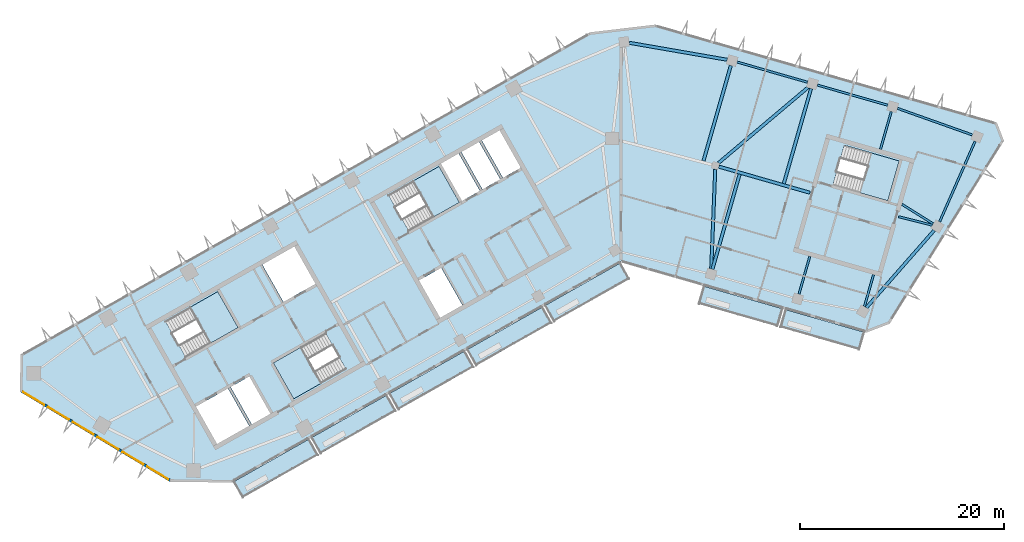
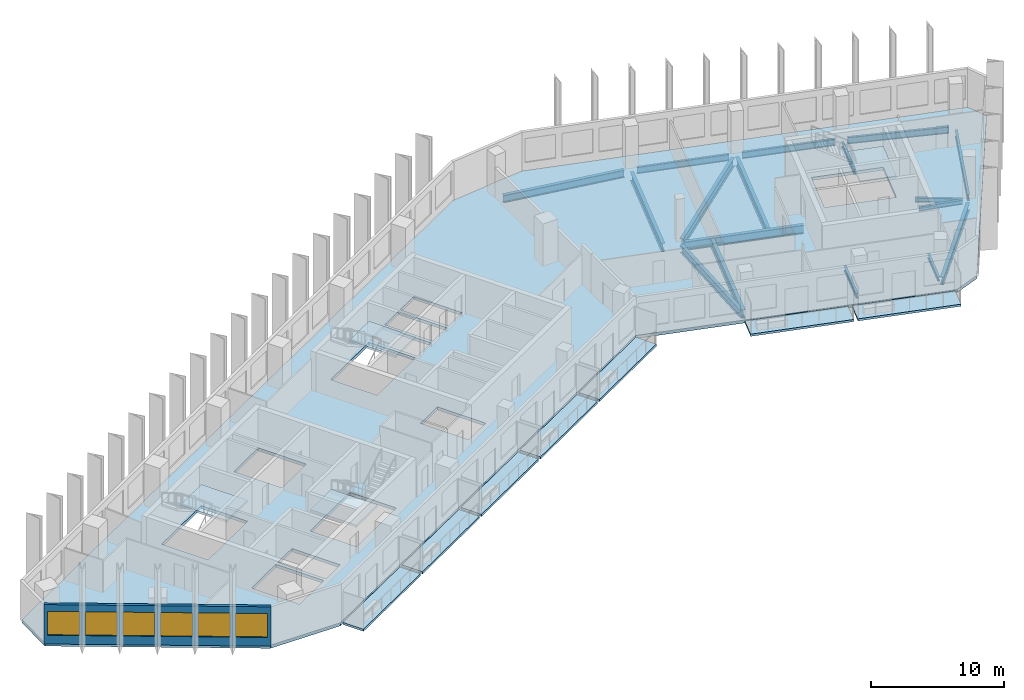
# One storey, part 2 of 12: 17 beams, 12 slabs, 6 windows, 1 wall, 6 openings, 4 elements without a shape of their own.
"""IFC4 building model written with IfcOpenShell, lengths in metres."""

from ifc_helpers import new_model, si_unit, direction, frame, frame_2d, origin, origin_2d, place, context, subcontext, project, spatial, polyline, rectangle, i_section, outline, extrude, material, layer, layer_set, material_profile, profile_set, type_object, element, fill, aggregate, save


model = new_model("IFC4")

# Units and contexts
model_context = context("Model", 3, precision=1e-05, world=origin(), true_north=direction((0.0, 1.0)))
body_context = subcontext(model_context, "Body", "Model", "MODEL_VIEW")
ifc_project = project(units=[si_unit("LENGTHUNIT", "METRE"), si_unit("AREAUNIT", "SQUARE_METRE"), si_unit("VOLUMEUNIT", "CUBIC_METRE"), si_unit("PLANEANGLEUNIT", "RADIAN"), si_unit("MASSUNIT", "GRAM", prefix="KILO")], contexts=[model_context])

# Site, building, storey
site_placement = place(None, origin())
site = spatial("IfcSite", under=ifc_project, at=site_placement, CompositionType="ELEMENT")
building_placement = place(site_placement, origin())
building = spatial("IfcBuilding", under=site, at=building_placement, Name="Binnacle Exchange Tower", CompositionType="ELEMENT")
storey_placement = place(building_placement, frame((0.0, 0.0, 238.699951171875)))
storey = spatial("IfcBuildingStorey", under=building, at=storey_placement, Name="L52", CompositionType="ELEMENT", Elevation=238.699951171875)

# Beams
ifc_material_1 = material(Name="Steel S355 (SHN355)", Category="steel")
ifc_material_profile_1 = material_profile(ifc_material_1, i_section(OverallWidth=0.199951171875, OverallDepth=0.60009765625, WebThickness=0.010986328125, FlangeThickness=0.01708984375, FilletRadius=0.02197265625, at=origin_2d()), Name="H 600x200x11x17")
ifc_profile_set_1 = profile_set([ifc_material_profile_1], Name="Steel S355 (SHN355)")
beam_type_1 = type_object("IfcBeamType", Name="Edge girder H 600x200x11x17 Steel S355 (SHN355)", PredefinedType="SPANDREL", material=ifc_profile_set_1)
beam_1_placement = place(storey_placement, frame((18.265625, 65.513916015625, -0.579833984375), z_axis=(-0.961255050864, 0.275660528891, 0.0), x_axis=(-0.275660528891, -0.961255050864, 0.0)))
element("IfcBeam", 1, at=beam_1_placement, inside=storey, type_object=beam_type_1, Name="S:BM:edge:L52:029", PredefinedType="SPANDREL", context=body_context, shape_type="SweptSolid", body=[
    extrude(i_section(OverallWidth=0.199951171875, OverallDepth=0.60009765625, WebThickness=0.010986328125, FlangeThickness=0.01708984375, FilletRadius=0.02197265625, at=origin_2d()), origin(), (0.0, 0.0, 1.0), 7.1728515625),
])
beam_2_placement = place(storey_placement, frame((26.1220703125, 63.26123046875, -0.579833984375), z_axis=(-0.96126665508, 0.275620060647, 0.0), x_axis=(-0.275620060647, -0.96126665508, 0.0)))
element("IfcBeam", 2, at=beam_2_placement, inside=storey, type_object=beam_type_1, Name="S:BM:edge:L52:031", PredefinedType="SPANDREL", context=body_context, shape_type="SweptSolid", body=[
    extrude(i_section(OverallWidth=0.199951171875, OverallDepth=0.60009765625, WebThickness=0.010986328125, FlangeThickness=0.01708984375, FilletRadius=0.02197265625, at=origin_2d()), origin(), (0.0, 0.0, 1.0), 7.173095703125),
])
ifc_material_profile_2 = material_profile(ifc_material_1, i_section(OverallWidth=0.200927734375, OverallDepth=0.60595703125, WebThickness=0.011962890625, FlangeThickness=0.02001953125, FilletRadius=0.02197265625, at=origin_2d()), Name="H 606x201x12x20")
ifc_profile_set_2 = profile_set([ifc_material_profile_2], Name="Steel S355 (SHN355)")
beam_type_2 = type_object("IfcBeamType", Name="Edge girder H 606x201x12x20 Steel S355 (SHN355)", PredefinedType="SPANDREL", material=ifc_profile_set_2)
beam_3_placement = place(storey_placement, frame((34.3984375, 60.3544921875, -0.5830078125), z_axis=(-0.942323270608, 0.334704128553, 0.0), x_axis=(-0.334704128553, -0.942323270608, 0.0)))
element("IfcBeam", 3, at=beam_3_placement, inside=storey, type_object=beam_type_2, Name="S:BM:edge:L52:033", PredefinedType="SPANDREL", context=body_context, shape_type="SweptSolid", body=[
    extrude(i_section(OverallWidth=0.200927734375, OverallDepth=0.60595703125, WebThickness=0.011962890625, FlangeThickness=0.02001953125, FilletRadius=0.02197265625, at=origin_2d()), origin(), (0.0, 0.0, 1.0), 7.77197265625),
])
ifc_material_profile_3 = material_profile(ifc_material_1, i_section(OverallWidth=0.201904296875, OverallDepth=0.612060546875, WebThickness=0.012939453125, FlangeThickness=0.02294921875, FilletRadius=0.02197265625, at=origin_2d()), Name="H 612x202x13x23")
ifc_profile_set_3 = profile_set([ifc_material_profile_3], Name="Steel S355 (SHN355)")
beam_type_3 = type_object("IfcBeamType", Name="Edge girder H 612x202x13x23 Steel S355 (SHN355)", PredefinedType="SPANDREL", material=ifc_profile_set_3)
beam_4_placement = place(storey_placement, frame((31.193359375, 51.848388671875, -0.5859375), z_axis=(0.403459457176, 0.914997522628, 0.0), x_axis=(-0.914997522628, 0.403459457176, 0.0)))
element("IfcBeam", 4, at=beam_4_placement, inside=storey, type_object=beam_type_3, Name="S:BM:edge:L52:032", PredefinedType="SPANDREL", context=body_context, shape_type="SweptSolid", body=[
    extrude(i_section(OverallWidth=0.201904296875, OverallDepth=0.612060546875, WebThickness=0.012939453125, FlangeThickness=0.02294921875, FilletRadius=0.02197265625, at=origin_2d()), origin(), (0.0, 0.0, 1.0), 8.61328125),
])
ifc_material_profile_4 = material_profile(ifc_material_1, i_section(OverallWidth=0.300048828125, OverallDepth=0.699951171875, WebThickness=0.012939453125, FlangeThickness=0.02392578125, FilletRadius=0.028076171875, at=origin_2d()), Name="H 700x300x13x24")
ifc_profile_set_4 = profile_set([ifc_material_profile_4], Name="Steel S355 (SHN355)")
beam_type_4 = type_object("IfcBeamType", Name="Edge girder H 700x300x13x24 Steel S355 (SHN355)", PredefinedType="SPANDREL", material=ifc_profile_set_4)
beam_5_placement = place(storey_placement, frame((10.39453125, 67.71484375, -0.6298828125), z_axis=(-0.985315512383, 0.170743494921, 0.0), x_axis=(-0.170743494921, -0.985315512383, 0.0)))
element("IfcBeam", 5, at=beam_5_placement, inside=storey, type_object=beam_type_4, Name="S:BM:edge:L52:027", PredefinedType="SPANDREL", context=body_context, shape_type="SweptSolid", body=[
    extrude(i_section(OverallWidth=0.300048828125, OverallDepth=0.699951171875, WebThickness=0.012939453125, FlangeThickness=0.02392578125, FilletRadius=0.028076171875, at=origin_2d()), origin(), (0.0, 0.0, 1.0), 9.72314453125),
])
beam_6_placement = place(storey_placement, frame((24.026123046875, 43.44580078125, -0.6298828125), z_axis=(0.659336218273, 0.751848223562, 0.0), x_axis=(-0.751848223562, 0.659336218273, 0.0)))
element("IfcBeam", 6, at=beam_6_placement, inside=storey, type_object=beam_type_4, Name="S:BM:edge:L52:030", PredefinedType="SPANDREL", context=body_context, shape_type="SweptSolid", body=[
    extrude(i_section(OverallWidth=0.300048828125, OverallDepth=0.699951171875, WebThickness=0.012939453125, FlangeThickness=0.02392578125, FilletRadius=0.028076171875, at=origin_2d()), origin(), (0.0, 0.0, 1.0), 10.0546875),
])
ifc_material_profile_5 = material_profile(ifc_material_1, i_section(OverallWidth=0.199951171875, OverallDepth=0.39990234375, WebThickness=0.008056640625, FlangeThickness=0.012939453125, FilletRadius=0.01611328125, at=origin_2d()), Name="H 400x200x8x13")
ifc_profile_set_5 = profile_set([ifc_material_profile_5], Name="Steel S355 (SHN355)")
beam_type_5 = type_object("IfcBeamType", Name="Floor beam H 400x200x8x13 Steel S355 (SHN355)", PredefinedType="BEAM", material=ifc_profile_set_5)
beam_7_placement = place(storey_placement, frame((23.832275390625, 43.55810546875, -0.47998046875), z_axis=(0.275607869103, 0.961270150628, 0.0), x_axis=(-0.961270150628, 0.275607869103, 0.0)))
element("IfcBeam", 7, at=beam_7_placement, inside=storey, type_object=beam_type_5, Name="S:BM:cross:L52:051", PredefinedType="BEAM", context=body_context, shape_type="SweptSolid", body=[
    extrude(i_section(OverallWidth=0.199951171875, OverallDepth=0.39990234375, WebThickness=0.008056640625, FlangeThickness=0.012939453125, FilletRadius=0.01611328125, at=origin_2d()), origin(), (0.0, 0.0, 1.0), 3.23583984375),
])
beam_8_placement = place(storey_placement, frame((30.5654296875, 51.6513671875, -0.47998046875), z_axis=(-0.848078408173, 0.529870751779, 0.0), x_axis=(-0.529870751779, -0.848078408173, 0.0)))
element("IfcBeam", 8, at=beam_8_placement, inside=storey, type_object=beam_type_5, Name="S:BM:cross:L52:053", PredefinedType="BEAM", context=body_context, shape_type="SweptSolid", body=[
    extrude(i_section(OverallWidth=0.199951171875, OverallDepth=0.39990234375, WebThickness=0.008056640625, FlangeThickness=0.012939453125, FilletRadius=0.01611328125, at=origin_2d()), origin(), (0.0, 0.0, 1.0), 3.59521484375),
])
ifc_material_profile_6 = material_profile(ifc_material_1, i_section(OverallWidth=0.199951171875, OverallDepth=0.449951171875, WebThickness=0.009033203125, FlangeThickness=0.013916015625, FilletRadius=0.01806640625, at=origin_2d()), Name="H 450x200x9x14")
ifc_profile_set_6 = profile_set([ifc_material_profile_6], Name="Steel S355 (SHN355)")
beam_type_6 = type_object("IfcBeamType", Name="Floor beam H 450x200x9x14 Steel S355 (SHN355)", PredefinedType="BEAM", material=ifc_profile_set_6)
for number, where, z_axis, x_axis, name in (
    (9, (17.426025390625, 44.771728515625, -0.5048828125), (0.27564586602, 0.961259255636, 0.0), (-0.961259255636, 0.27564586602, 0.0), "S:BM:cross:L52:049"),
    (10, (26.46484375, 62.642822265625, -0.5048828125), (-0.27564586602, -0.961259255636, 0.0), (0.961259255636, -0.27564586602, 0.0), "S:BM:cross:L52:052"),
):
    element("IfcBeam", number, at=place(storey_placement, frame(where, z_axis=z_axis, x_axis=x_axis)), inside=storey, type_object=beam_type_6, Name=name, PredefinedType="BEAM", context=body_context, shape_type="SweptSolid", body=[
        extrude(i_section(OverallWidth=0.199951171875, OverallDepth=0.449951171875, WebThickness=0.009033203125, FlangeThickness=0.013916015625, FilletRadius=0.01806640625, at=origin_2d()), origin(), (0.0, 0.0, 1.0), 3.835205078125),
    ])
ifc_material_profile_7 = material_profile(ifc_material_1, i_section(OverallWidth=0.300048828125, OverallDepth=0.800048828125, WebThickness=0.013916015625, FlangeThickness=0.02587890625, FilletRadius=0.028076171875, at=origin_2d()), Name="H 800x300x14x26")
ifc_profile_set_7 = profile_set([ifc_material_profile_7], Name="Steel S355 (SHN355)")
beam_type_7 = type_object("IfcBeamType", Name="Floor beam H 800x300x14x26 Steel S355 (SHN355)", PredefinedType="BEAM", material=ifc_profile_set_7)
beam_9_placement = place(storey_placement, frame((8.947265625, 47.202880859375, -0.679931640625), z_axis=(0.275643212873, 0.961260016435, 0.0), x_axis=(-0.961260016435, 0.275643212873, 0.0)))
element("IfcBeam", 11, at=beam_9_placement, inside=storey, type_object=beam_type_7, Name="S:BM:cross:L52:047", PredefinedType="BEAM", context=body_context, shape_type="SweptSolid", body=[
    extrude(i_section(OverallWidth=0.300048828125, OverallDepth=0.800048828125, WebThickness=0.013916015625, FlangeThickness=0.02587890625, FilletRadius=0.028076171875, at=origin_2d()), origin(), (0.0, 0.0, 1.0), 9.685302734375),
])
beam_10_placement = place(storey_placement, frame((10.752197265625, 67.1484375, -0.679931640625), z_axis=(-0.275623948616, -0.96126554029, 0.0), x_axis=(0.96126554029, -0.275623948616, 0.0)))
element("IfcBeam", 12, at=beam_10_placement, inside=storey, type_object=beam_type_7, Name="S:BM:cross:L52:048", PredefinedType="BEAM", context=body_context, shape_type="SweptSolid", body=[
    extrude(i_section(OverallWidth=0.300048828125, OverallDepth=0.800048828125, WebThickness=0.013916015625, FlangeThickness=0.02587890625, FilletRadius=0.028076171875, at=origin_2d()), origin(), (0.0, 0.0, 1.0), 9.71337890625),
])
beam_11_placement = place(storey_placement, frame((18.6083984375, 64.8955078125, -0.679931640625), z_axis=(-0.275626599208, -0.961264780281, 0.0), x_axis=(0.961264780281, -0.275626599208, 0.0)))
element("IfcBeam", 13, at=beam_11_placement, inside=storey, type_object=beam_type_7, Name="S:BM:cross:L52:050", PredefinedType="BEAM", context=body_context, shape_type="SweptSolid", body=[
    extrude(i_section(OverallWidth=0.300048828125, OverallDepth=0.800048828125, WebThickness=0.013916015625, FlangeThickness=0.02587890625, FilletRadius=0.028076171875, at=origin_2d()), origin(), (0.0, 0.0, 1.0), 9.68505859375),
])
ifc_material_profile_8 = material_profile(ifc_material_1, i_section(OverallWidth=0.199951171875, OverallDepth=0.39990234375, WebThickness=0.008056640625, FlangeThickness=0.012939453125, FilletRadius=0.01611328125, at=origin_2d()), Name="H 400x200x8x13")
ifc_profile_set_8 = profile_set([ifc_material_profile_8], Name="Steel S355 (SHN355)")
beam_type_8 = type_object("IfcBeamType", Name="Spine girder H 400x200x8x13 Steel S355 (SHN355)", PredefinedType="BEAM", material=ifc_profile_set_8)
beam_12_placement = place(storey_placement, frame((27.17138671875, 52.35400390625, -0.47998046875), z_axis=(0.969354959992, -0.245664326957, 0.0), x_axis=(0.245664326957, 0.969354959992, 0.0)))
element("IfcBeam", 14, at=beam_12_placement, inside=storey, type_object=beam_type_8, Name="S:BM:spine:L52:010", PredefinedType="BEAM", context=body_context, shape_type="SweptSolid", body=[
    extrude(i_section(OverallWidth=0.199951171875, OverallDepth=0.39990234375, WebThickness=0.008056640625, FlangeThickness=0.012939453125, FilletRadius=0.01611328125, at=origin_2d()), origin(), (0.0, 0.0, 1.0), 3.41357421875),
])
ifc_material_profile_9 = material_profile(ifc_material_1, i_section(OverallWidth=0.300048828125, OverallDepth=0.699951171875, WebThickness=0.012939453125, FlangeThickness=0.02392578125, FilletRadius=0.028076171875, at=origin_2d()), Name="H 700x300x13x24")
ifc_profile_set_9 = profile_set([ifc_material_profile_9], Name="Steel S355 (SHN355)")
beam_type_9 = type_object("IfcBeamType", Name="Spine girder H 700x300x13x24 Steel S355 (SHN355)", PredefinedType="BEAM", material=ifc_profile_set_9)
beam_13_placement = place(storey_placement, frame((9.226318359375, 56.990234375, -0.6298828125), z_axis=(-0.040566314933, -0.999176848257, 0.0), x_axis=(0.999176848257, -0.040566314933, 0.0)))
element("IfcBeam", 15, at=beam_13_placement, inside=storey, type_object=beam_type_9, Name="S:BM:spine:L52:007", PredefinedType="BEAM", context=body_context, shape_type="SweptSolid", body=[
    extrude(i_section(OverallWidth=0.300048828125, OverallDepth=0.699951171875, WebThickness=0.012939453125, FlangeThickness=0.02392578125, FilletRadius=0.028076171875, at=origin_2d()), origin(), (0.0, 0.0, 1.0), 9.76171875),
])
ifc_material_profile_10 = material_profile(ifc_material_1, i_section(OverallWidth=0.300048828125, OverallDepth=0.800048828125, WebThickness=0.013916015625, FlangeThickness=0.02587890625, FilletRadius=0.028076171875, at=origin_2d()), Name="H 800x300x14x26")
ifc_profile_set_10 = profile_set([ifc_material_profile_10], Name="Steel S355 (SHN355)")
beam_type_10 = type_object("IfcBeamType", Name="Spine girder H 800x300x14x26 Steel S355 (SHN355)", PredefinedType="BEAM", material=ifc_profile_set_10)
beam_14_placement = place(storey_placement, frame((9.577392578125, 57.253662109375, -0.679931640625), z_axis=(0.961262936931, -0.275633027924, 0.0), x_axis=(0.275633027924, 0.961262936931, 0.0)))
element("IfcBeam", 16, at=beam_14_placement, inside=storey, type_object=beam_type_10, Name="S:BM:spine:L52:009", PredefinedType="BEAM", context=body_context, shape_type="SweptSolid", body=[
    extrude(i_section(OverallWidth=0.300048828125, OverallDepth=0.800048828125, WebThickness=0.013916015625, FlangeThickness=0.02587890625, FilletRadius=0.028076171875, at=origin_2d()), origin(), (0.0, 0.0, 1.0), 9.26318359375),
])
ifc_material_profile_11 = material_profile(ifc_material_1, i_section(OverallWidth=0.302001953125, OverallDepth=0.80810546875, WebThickness=0.01611328125, FlangeThickness=0.030029296875, FilletRadius=0.028076171875, at=origin_2d()), Name="H 808x302x16x30")
ifc_profile_set_11 = profile_set([ifc_material_profile_11], Name="Steel S355 (SHN355)")
beam_type_11 = type_object("IfcBeamType", Name="Spine girder H 808x302x16x30 Steel S355 (SHN355)", PredefinedType="BEAM", material=ifc_profile_set_11)
beam_15_placement = place(storey_placement, frame((9.562744140625, 57.6220703125, -0.683837890625), z_axis=(0.764068797706, 0.645134770704, 0.0), x_axis=(-0.645134770704, 0.764068797706, 0.0)))
element("IfcBeam", 17, at=beam_15_placement, inside=storey, type_object=beam_type_11, Name="S:BM:spine:L52:008", PredefinedType="BEAM", context=body_context, shape_type="SweptSolid", body=[
    extrude(i_section(OverallWidth=0.302001953125, OverallDepth=0.80810546875, WebThickness=0.01611328125, FlangeThickness=0.030029296875, FilletRadius=0.028076171875, at=origin_2d()), origin(), (0.0, 0.0, 1.0), 11.417236328125),
])

# Slabs
ifc_material_2 = material(Name="Concrete C35/45", Category="concrete")
ifc_layer_1 = layer(ifc_material_2, 0.199951171875)
ifc_layer_set_1 = layer_set([ifc_layer_1], Name="BALCONY SLAB 200")
slab_type_1 = type_object("IfcSlabType", Name="BALCONY SLAB 200", PredefinedType="FLOOR", material=ifc_layer_set_1)
slab_1_placement = place(storey_placement, frame((0.0, 0.0, -0.199951171875)))
element("IfcSlab", 18, at=slab_1_placement, inside=storey, type_object=slab_type_1, Name="Balcony BA-G01-00 L52", PredefinedType="FLOOR", context=body_context, shape_type="SweptSolid", body=[
    extrude(outline(polyline([(-37.90576171875, 26.410400390625), (-30.54736328125, 30.573486328125), (-29.660888671875, 29.0068359375), (-37.019287109375, 24.84375), (-37.90576171875, 26.410400390625)])), origin(), (0.0, 0.0, 1.0), 0.199951171875),
])
slab_2_placement = place(storey_placement, frame((0.0, 0.0, -0.199951171875)))
element("IfcSlab", 19, at=slab_2_placement, inside=storey, type_object=slab_type_1, Name="Balcony BA-G01-01 L52", PredefinedType="FLOOR", context=body_context, shape_type="SweptSolid", body=[
    extrude(outline(polyline([(-30.2861328125, 30.72119140625), (-22.927734375, 34.884521484375), (-22.041259765625, 33.31787109375), (-29.39990234375, 29.15478515625), (-30.2861328125, 30.72119140625)])), origin(), (0.0, 0.0, 1.0), 0.199951171875),
])
slab_3_placement = place(storey_placement, frame((0.0, 0.0, -0.199951171875)))
element("IfcSlab", 20, at=slab_3_placement, inside=storey, type_object=slab_type_1, Name="Balcony BA-G01-02 L52", PredefinedType="FLOOR", context=body_context, shape_type="SweptSolid", body=[
    extrude(outline(polyline([(-22.66650390625, 35.0322265625), (-15.30810546875, 39.195556640625), (-14.421875, 37.62890625), (-21.7802734375, 33.465576171875), (-22.66650390625, 35.0322265625)])), origin(), (0.0, 0.0, 1.0), 0.199951171875),
])
slab_4_placement = place(storey_placement, frame((0.0, 0.0, -0.199951171875)))
element("IfcSlab", 21, at=slab_4_placement, inside=storey, type_object=slab_type_1, Name="Balcony BA-G01-03 L52", PredefinedType="FLOOR", context=body_context, shape_type="SweptSolid", body=[
    extrude(outline(polyline([(-15.047119140625, 39.34326171875), (-7.6884765625, 43.50634765625), (-6.802001953125, 41.939697265625), (-14.16064453125, 37.776611328125), (-15.047119140625, 39.34326171875)])), origin(), (0.0, 0.0, 1.0), 0.199951171875),
])
slab_5_placement = place(storey_placement, frame((0.0, 0.0, -0.199951171875)))
element("IfcSlab", 22, at=slab_5_placement, inside=storey, type_object=slab_type_1, Name="Balcony BA-G01-04 L52", PredefinedType="FLOOR", context=body_context, shape_type="SweptSolid", body=[
    extrude(outline(polyline([(-7.427490234375, 43.654296875), (-0.069091796875, 47.8173828125), (0.8173828125, 46.250732421875), (-6.541015625, 42.08740234375), (-7.427490234375, 43.654296875)])), origin(), (0.0, 0.0, 1.0), 0.199951171875),
])
slab_6_placement = place(storey_placement, frame((0.0, 0.0, -0.199951171875)))
element("IfcSlab", 23, at=slab_6_placement, inside=storey, type_object=slab_type_1, Name="Balcony BA-G02-01 L52", PredefinedType="FLOOR", context=body_context, shape_type="SweptSolid", body=[
    extrude(outline(polyline([(8.10791015625, 45.545166015625), (15.8173828125, 43.33447265625), (15.3212890625, 41.60400390625), (7.61181640625, 43.814697265625), (8.10791015625, 45.545166015625)])), origin(), (0.0, 0.0, 1.0), 0.199951171875),
])
slab_7_placement = place(storey_placement, frame((0.0, 0.0, -0.199951171875)))
element("IfcSlab", 24, at=slab_7_placement, inside=storey, type_object=slab_type_1, Name="Balcony BA-G02-02 L52", PredefinedType="FLOOR", context=body_context, shape_type="SweptSolid", body=[
    extrude(outline(polyline([(16.10595703125, 43.251708984375), (23.815673828125, 41.041015625), (23.319580078125, 39.310791015625), (15.60986328125, 41.521484375), (16.10595703125, 43.251708984375)])), origin(), (0.0, 0.0, 1.0), 0.199951171875),
])
ifc_layer_2 = layer(ifc_material_2, 0.280029296875)
ifc_layer_set_2 = layer_set([ifc_layer_2], Name="Floor slab 280 Concrete C35/45")
slab_type_2 = type_object("IfcSlabType", Name="Floor slab 280 Concrete C35/45", PredefinedType="FLOOR", material=ifc_layer_set_2)
slab_8_placement = place(storey_placement, frame((0.0, 0.0, -0.280029296875)))
element("IfcSlab", 25, at=slab_8_placement, inside=storey, type_object=slab_type_2, Name="S:SL:L52:01", PredefinedType="FLOOR", context=body_context, shape_type="SweptSolid", body=[
    extrude(outline(polyline([(-58.716064453125, 35.280029296875), (-58.669921875, 38.80615234375), (-3.046142578125, 70.276611328125), (3.364501953125, 71.035400390625), (36.71240234375, 61.472900390625), (37.359375, 59.787353515625), (26.23095703125, 41.978515625), (23.994140625, 41.119873046875), (0.0, 48.0), (-38.097900390625, 26.4453125), (-44.14404296875, 26.5244140625), (-58.716064453125, 35.280029296875)]), holes=[polyline([(-38.4794921875, 35.529296875), (-41.61279296875, 33.756591796875), (-39.544677734375, 30.10107421875), (-36.411376953125, 31.873779296875), (-38.4794921875, 35.529296875)]), polyline([(-36.390625, 36.711181640625), (-38.21826171875, 35.677001953125), (-36.150146484375, 32.021484375), (-34.322509765625, 33.0556640625), (-36.390625, 36.711181640625)]), polyline([(-32.04638671875, 34.515625), (-26.9287109375, 37.4111328125), (-28.923095703125, 40.93603515625), (-34.040771484375, 38.04052734375), (-32.04638671875, 34.515625)]), polyline([(-37.486572265625, 41.4912109375), (-39.480712890625, 45.01611328125), (-44.598388671875, 42.12060546875), (-42.604248046875, 38.595703125), (-37.486572265625, 41.4912109375)]), polyline([(-29.914306640625, 45.775390625), (-31.982666015625, 49.430908203125), (-35.115966796875, 47.657958984375), (-33.047607421875, 44.00244140625), (-29.914306640625, 45.775390625)]), polyline([(-17.81689453125, 57.27294921875), (-22.760498046875, 54.47607421875), (-20.76611328125, 50.950927734375), (-15.822509765625, 53.748046875), (-17.81689453125, 57.27294921875)]), polyline([(-15.53076171875, 43.6875), (-17.598876953125, 47.343017578125), (-19.77490234375, 46.11181640625), (-17.70654296875, 42.456298828125), (-15.53076171875, 43.6875)]), polyline([(-13.82080078125, 54.880615234375), (-15.888916015625, 58.5361328125), (-17.629638671875, 57.55126953125), (-15.5615234375, 53.895751953125), (-13.82080078125, 54.880615234375)]), polyline([(27.227783203125, 57.810302734375), (21.864013671875, 59.348388671875), (20.74755859375, 55.455078125), (26.111328125, 53.9169921875), (27.227783203125, 57.810302734375)]), polyline([(-11.819091796875, 56.01318359375), (-13.88720703125, 59.668701171875), (-15.6279296875, 58.683837890625), (-13.559814453125, 55.0283203125), (-11.819091796875, 56.01318359375)]), polyline([(-9.817138671875, 57.145751953125), (-11.885498046875, 60.80126953125), (-13.626220703125, 59.81640625), (-11.557861328125, 56.160888671875), (-9.817138671875, 57.145751953125)])]), origin(), (0.0, 0.0, 1.0), 0.280029296875),
])

# Stair, slab
stair_type = type_object("IfcStairType", Name="STAIR 22 RISERS 177", PredefinedType="HALF_TURN_STAIR", material=ifc_material_2)
stair_1_placement = place(storey_placement, origin())
stair_1 = element("IfcStair", 26, at=stair_1_placement, inside=storey, type_object=stair_type, Name="L52 Escape stair A1", PredefinedType="HALF_TURN_STAIR")
ifc_layer_3 = layer(ifc_material_2, 0.199951171875)
ifc_layer_set_3 = layer_set([ifc_layer_3], Name="STAIR LANDING 200")
slab_type_3 = type_object("IfcSlabType", Name="STAIR LANDING 200", PredefinedType="LANDING", material=ifc_layer_set_3)
slab_9_placement = place(storey_placement, frame((0.0, 0.0, 1.75)))
slab_9 = element("IfcSlab", 27, at=slab_9_placement, type_object=slab_type_3, Name="STA1 landing 1", PredefinedType="LANDING", context=body_context, shape_type="SweptSolid", body=[
    extrude(outline(polyline([(-40.2021484375, 39.954833984375), (-37.486572265625, 41.4912109375), (-39.48095703125, 45.01611328125), (-42.1962890625, 43.479736328125), (-40.2021484375, 39.954833984375)])), origin(), (0.0, 0.0, 1.0), 0.199951171875),
])
aggregate(stair_1, [slab_9])

stair_2_placement = place(storey_placement, origin())
stair_2 = element("IfcStair", 28, at=stair_2_placement, inside=storey, type_object=stair_type, Name="L52 Escape stair A2", PredefinedType="HALF_TURN_STAIR")
slab_10_placement = place(storey_placement, frame((0.0, 0.0, 1.75)))
slab_10 = element("IfcSlab", 29, at=slab_10_placement, type_object=slab_type_3, Name="STA2 landing 1", PredefinedType="LANDING", context=body_context, shape_type="SweptSolid", body=[
    extrude(outline(polyline([(-31.3251953125, 39.576904296875), (-34.040771484375, 38.04052734375), (-32.04638671875, 34.515625), (-29.330810546875, 36.052001953125), (-31.3251953125, 39.576904296875)])), origin(), (0.0, 0.0, 1.0), 0.199951171875),
])
aggregate(stair_2, [slab_10])

stair_3_placement = place(storey_placement, origin())
stair_3 = element("IfcStair", 30, at=stair_3_placement, inside=storey, type_object=stair_type, Name="L52 Escape stair C1", PredefinedType="HALF_TURN_STAIR")
slab_11_placement = place(storey_placement, frame((0.0, 0.0, 1.75)))
slab_11 = element("IfcSlab", 31, at=slab_11_placement, type_object=slab_type_3, Name="STC1 landing 1", PredefinedType="LANDING", context=body_context, shape_type="SweptSolid", body=[
    extrude(outline(polyline([(-18.364013671875, 52.31005859375), (-15.822509765625, 53.748046875), (-17.81689453125, 57.27294921875), (-20.3583984375, 55.8349609375), (-18.364013671875, 52.31005859375)])), origin(), (0.0, 0.0, 1.0), 0.199951171875),
])
aggregate(stair_3, [slab_11])

stair_4_placement = place(storey_placement, origin())
stair_4 = element("IfcStair", 32, at=stair_4_placement, inside=storey, type_object=stair_type, Name="L52 Escape stair D1", PredefinedType="HALF_TURN_STAIR")
slab_12_placement = place(storey_placement, frame((0.0, 0.0, 1.75)))
slab_12 = element("IfcSlab", 33, at=slab_12_placement, type_object=slab_type_3, Name="STD1 landing 1", PredefinedType="LANDING", context=body_context, shape_type="SweptSolid", body=[
    extrude(outline(polyline([(23.400634765625, 54.6943359375), (26.111328125, 53.917236328125), (27.227783203125, 57.810302734375), (24.516845703125, 58.587646484375), (23.400634765625, 54.6943359375)])), origin(), (0.0, 0.0, 1.0), 0.199951171875),
])
aggregate(stair_4, [slab_12])

# Wall, openings, windows
ifc_material_3 = material(Name="Bronze aluminium cladding", Category="aluminium")
ifc_layer_4 = layer(ifc_material_3, 0.25)
ifc_layer_set_4 = layer_set([ifc_layer_4], Name="External wall - window wall 250")
wall_type = type_object("IfcWallType", Name="External wall - window wall 250", PredefinedType="STANDARD", material=ifc_layer_set_4)
wall_placement = place(storey_placement, frame((-44.115234375, 26.507080078125, 0.0), z_axis=(0.0, 0.0, 1.0), x_axis=(-0.857166583633, 0.515039268311, 0.0)))
wall = element("IfcWall", 34, at=wall_placement, inside=storey, type_object=wall_type, Name="External wall EW-G10 L52", PredefinedType="STANDARD", context=body_context, shape_type="SweptSolid", body=[
    extrude(rectangle(XDim=17.105712890625, YDim=0.25, at=frame_2d((8.552734375, 0.0))), origin(), (0.0, 0.0, 1.0), 3.6201171875),
])
opening_1_placement = place(wall_placement, frame((14.4169921875, 0.0, 0.800048828125)))
opening_1 = element("IfcOpeningElement", 35, at=opening_1_placement, cuts=wall, Name="Opening WR1", PredefinedType="OPENING", context=body_context, shape_type="SweptSolid", body=[
    extrude(rectangle(XDim=2.39990234375, YDim=2.199951171875, at=frame_2d((1.199951171875, 1.10009765625))), frame((0.0, 0.135009765625, 0.0), z_axis=(0.0, -1.0, 0.0), x_axis=(1.0, 0.0, 0.0)), (0.0, 0.0, 1.0), 0.27001953125),
])
opening_2_placement = place(wall_placement, frame((11.583740234375, 0.0, 0.800048828125)))
opening_2 = element("IfcOpeningElement", 36, at=opening_2_placement, cuts=wall, Name="Opening WR1", PredefinedType="OPENING", context=body_context, shape_type="SweptSolid", body=[
    extrude(rectangle(XDim=2.39990234375, YDim=2.199951171875, at=frame_2d((1.199951171875, 1.10009765625))), frame((0.0, 0.135009765625, 0.0), z_axis=(0.0, -1.0, 0.0), x_axis=(1.0, 0.0, 0.0)), (0.0, 0.0, 1.0), 0.27001953125),
])
opening_3_placement = place(wall_placement, frame((8.75048828125, 0.0, 0.800048828125)))
opening_3 = element("IfcOpeningElement", 37, at=opening_3_placement, cuts=wall, Name="Opening WR1", PredefinedType="OPENING", context=body_context, shape_type="SweptSolid", body=[
    extrude(rectangle(XDim=2.39990234375, YDim=2.199951171875, at=frame_2d((1.199951171875, 1.10009765625))), frame((0.0, 0.135009765625, 0.0), z_axis=(0.0, -1.0, 0.0), x_axis=(1.0, 0.0, 0.0)), (0.0, 0.0, 1.0), 0.27001953125),
])
opening_4_placement = place(wall_placement, frame((5.9169921875, 0.0, 0.800048828125)))
opening_4 = element("IfcOpeningElement", 38, at=opening_4_placement, cuts=wall, Name="Opening WR1", PredefinedType="OPENING", context=body_context, shape_type="SweptSolid", body=[
    extrude(rectangle(XDim=2.39990234375, YDim=2.199951171875, at=frame_2d((1.199951171875, 1.10009765625))), frame((0.0, 0.135009765625, 0.0), z_axis=(0.0, -1.0, 0.0), x_axis=(1.0, 0.0, 0.0)), (0.0, 0.0, 1.0), 0.27001953125),
])
opening_5_placement = place(wall_placement, frame((3.083740234375, 0.0, 0.800048828125)))
opening_5 = element("IfcOpeningElement", 39, at=opening_5_placement, cuts=wall, Name="Opening WR1", PredefinedType="OPENING", context=body_context, shape_type="SweptSolid", body=[
    extrude(rectangle(XDim=2.39990234375, YDim=2.199951171875, at=frame_2d((1.199951171875, 1.10009765625))), frame((0.0, 0.135009765625, 0.0), z_axis=(0.0, -1.0, 0.0), x_axis=(1.0, 0.0, 0.0)), (0.0, 0.0, 1.0), 0.27001953125),
])
opening_6_placement = place(wall_placement, frame((0.25048828125, 0.0, 0.800048828125)))
opening_6 = element("IfcOpeningElement", 40, at=opening_6_placement, cuts=wall, Name="Opening WR1", PredefinedType="OPENING", context=body_context, shape_type="SweptSolid", body=[
    extrude(rectangle(XDim=2.39990234375, YDim=2.199951171875, at=frame_2d((1.199951171875, 1.10009765625))), frame((0.0, 0.135009765625, 0.0), z_axis=(0.0, -1.0, 0.0), x_axis=(1.0, 0.0, 0.0)), (0.0, 0.0, 1.0), 0.27001953125),
])
ifc_material_4 = material(Name="Bronze anodised aluminium frame", Category="aluminium")
window_type = type_object("IfcWindowType", Name="WR1 WINDOW 2400x2200", PartitioningType="SINGLE_PANEL", PredefinedType="WINDOW", material=ifc_material_4)
window_1_placement = place(opening_1_placement, origin())
window_1 = element("IfcWindow", 41, at=window_1_placement, inside=storey, type_object=window_type, Name="Window WR1 L52", OverallHeight=2.199951171875, OverallWidth=2.39990234375, PartitioningType="SINGLE_PANEL", PredefinedType="WINDOW", context=body_context, shape_type="SweptSolid", body=[
    extrude(rectangle(XDim=2.39990234375, YDim=2.199951171875, at=frame_2d((1.199951171875, 1.10009765625))), frame((0.0, 0.030029296875, 0.0), z_axis=(0.0, -1.0, 0.0), x_axis=(1.0, 0.0, 0.0)), (0.0, 0.0, 1.0), 0.06005859375),
])
fill(opening_1, window_1)
window_2_placement = place(opening_2_placement, origin())
window_2 = element("IfcWindow", 42, at=window_2_placement, inside=storey, type_object=window_type, Name="Window WR1 L52", OverallHeight=2.199951171875, OverallWidth=2.39990234375, PartitioningType="SINGLE_PANEL", PredefinedType="WINDOW", context=body_context, shape_type="SweptSolid", body=[
    extrude(rectangle(XDim=2.39990234375, YDim=2.199951171875, at=frame_2d((1.199951171875, 1.10009765625))), frame((0.0, 0.030029296875, 0.0), z_axis=(0.0, -1.0, 0.0), x_axis=(1.0, 0.0, 0.0)), (0.0, 0.0, 1.0), 0.06005859375),
])
fill(opening_2, window_2)
window_3_placement = place(opening_3_placement, origin())
window_3 = element("IfcWindow", 43, at=window_3_placement, inside=storey, type_object=window_type, Name="Window WR1 L52", OverallHeight=2.199951171875, OverallWidth=2.39990234375, PartitioningType="SINGLE_PANEL", PredefinedType="WINDOW", context=body_context, shape_type="SweptSolid", body=[
    extrude(rectangle(XDim=2.39990234375, YDim=2.199951171875, at=frame_2d((1.199951171875, 1.10009765625))), frame((0.0, 0.030029296875, 0.0), z_axis=(0.0, -1.0, 0.0), x_axis=(1.0, 0.0, 0.0)), (0.0, 0.0, 1.0), 0.06005859375),
])
fill(opening_3, window_3)
window_4_placement = place(opening_4_placement, origin())
window_4 = element("IfcWindow", 44, at=window_4_placement, inside=storey, type_object=window_type, Name="Window WR1 L52", OverallHeight=2.199951171875, OverallWidth=2.39990234375, PartitioningType="SINGLE_PANEL", PredefinedType="WINDOW", context=body_context, shape_type="SweptSolid", body=[
    extrude(rectangle(XDim=2.39990234375, YDim=2.199951171875, at=frame_2d((1.199951171875, 1.10009765625))), frame((0.0, 0.030029296875, 0.0), z_axis=(0.0, -1.0, 0.0), x_axis=(1.0, 0.0, 0.0)), (0.0, 0.0, 1.0), 0.06005859375),
])
fill(opening_4, window_4)
window_5_placement = place(opening_5_placement, origin())
window_5 = element("IfcWindow", 45, at=window_5_placement, inside=storey, type_object=window_type, Name="Window WR1 L52", OverallHeight=2.199951171875, OverallWidth=2.39990234375, PartitioningType="SINGLE_PANEL", PredefinedType="WINDOW", context=body_context, shape_type="SweptSolid", body=[
    extrude(rectangle(XDim=2.39990234375, YDim=2.199951171875, at=frame_2d((1.199951171875, 1.10009765625))), frame((0.0, 0.030029296875, 0.0), z_axis=(0.0, -1.0, 0.0), x_axis=(1.0, 0.0, 0.0)), (0.0, 0.0, 1.0), 0.06005859375),
])
fill(opening_5, window_5)
window_6_placement = place(opening_6_placement, origin())
window_6 = element("IfcWindow", 46, at=window_6_placement, inside=storey, type_object=window_type, Name="Window WR1 L52", OverallHeight=2.199951171875, OverallWidth=2.39990234375, PartitioningType="SINGLE_PANEL", PredefinedType="WINDOW", context=body_context, shape_type="SweptSolid", body=[
    extrude(rectangle(XDim=2.39990234375, YDim=2.199951171875, at=frame_2d((1.199951171875, 1.10009765625))), frame((0.0, 0.030029296875, 0.0), z_axis=(0.0, -1.0, 0.0), x_axis=(1.0, 0.0, 0.0)), (0.0, 0.0, 1.0), 0.06005859375),
])
fill(opening_6, window_6)

save(model, "model.ifc")
